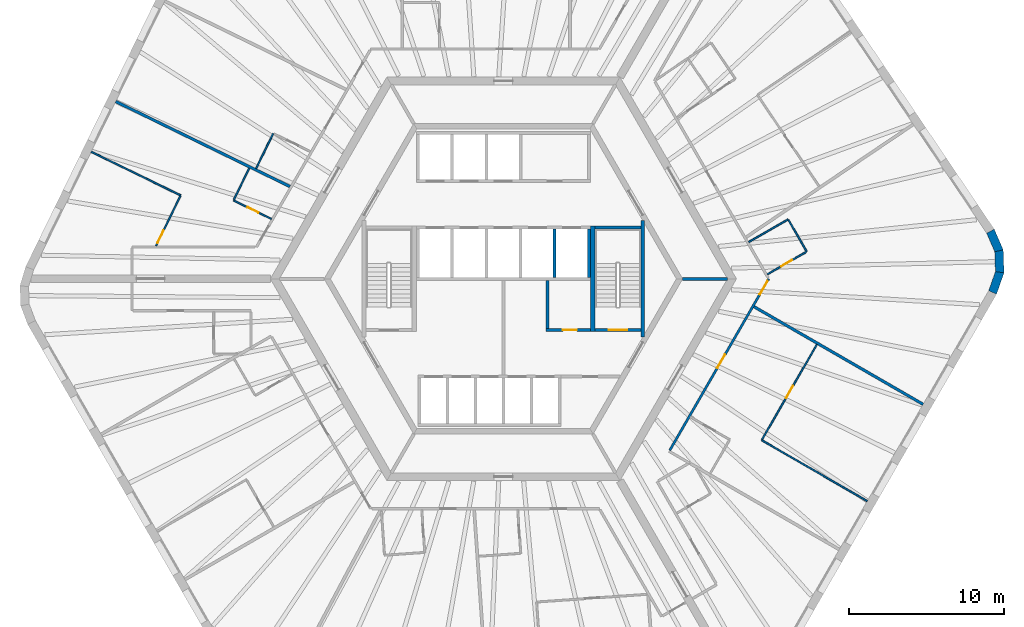
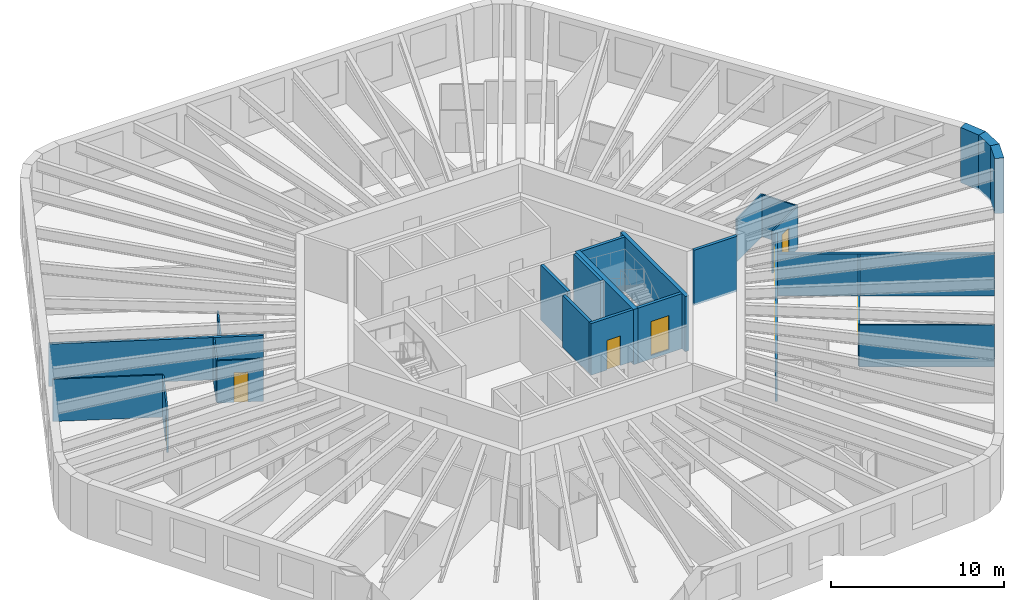
# One storey, part 6 of 10: 25 walls, 8 doors, 8 openings.
"""IFC4 building model written with IfcOpenShell, lengths in metres."""

from ifc_helpers import new_model, si_unit, direction, frame, frame_2d, origin, place, context, subcontext, project, spatial, polyline, rectangle, outline, extrude, material, layer, layer_set, type_object, element, fill, save


model = new_model("IFC4")

# Units and contexts
model_context = context("Model", 3, precision=1e-05, world=origin(), true_north=direction((0.0, 1.0)))
body_context = subcontext(model_context, "Body", "Model", "MODEL_VIEW")
ifc_project = project(units=[si_unit("LENGTHUNIT", "METRE"), si_unit("AREAUNIT", "SQUARE_METRE"), si_unit("VOLUMEUNIT", "CUBIC_METRE"), si_unit("PLANEANGLEUNIT", "RADIAN"), si_unit("MASSUNIT", "GRAM", prefix="KILO")], contexts=[model_context])

# Site, building, storey
site_placement = place(None, origin())
site = spatial("IfcSite", under=ifc_project, at=site_placement, CompositionType="ELEMENT")
building_placement = place(site_placement, origin())
building = spatial("IfcBuilding", under=site, at=building_placement, Name="Tarnside Tower", CompositionType="ELEMENT")
storey_placement = place(building_placement, frame((0.0, 0.0, 180.0)))
storey = spatial("IfcBuildingStorey", under=building, at=storey_placement, Name="L42", CompositionType="ELEMENT", Elevation=180.0)

# Wall
ifc_material_1 = material(Name="Gypsum board partition on steel studs", Category="steel")
ifc_layer_1 = layer(ifc_material_1, 0.10009765625)
ifc_layer_set_1 = layer_set([ifc_layer_1], Name="Bathroom wall 100")
wall_type_1 = type_object("IfcWallType", Name="Bathroom wall 100", PredefinedType="PARTITIONING", material=ifc_layer_set_1)
wall_1_placement = place(storey_placement, frame((-15.927490234375, 7.109619140625, 0.0), z_axis=(0.0, 0.0, 1.0), x_axis=(0.438398718232, 0.898780598284, 0.0)))
element("IfcWall", 1, at=wall_1_placement, inside=storey, type_object=wall_type_1, Name="Bathroom wall 13061", PredefinedType="PARTITIONING", context=body_context, shape_type="SweptSolid", body=[
    extrude(rectangle(XDim=2.510009765625, YDim=0.10009765625, at=frame_2d((1.2548828125, 0.0))), origin(), (0.0, 0.0, 1.0), 2.98779296875),
])

# Wall, opening, door
wall_2_placement = place(storey_placement, frame((-14.947021484375, 3.861083984375, 0.0), z_axis=(0.0, 0.0, 1.0), x_axis=(-0.898811693159, 0.438334963517, 0.0)))
wall_2 = element("IfcWall", 2, at=wall_2_placement, inside=storey, type_object=wall_type_1, Name="Bathroom wall 13066", PredefinedType="PARTITIONING", context=body_context, shape_type="SweptSolid", body=[
    extrude(rectangle(XDim=2.71240234375, YDim=0.10009765625, at=frame_2d((1.356201171875, 0.0))), origin(), (0.0, 0.0, 1.0), 2.98779296875),
])
opening_1_placement = place(wall_2_placement, frame((0.91259765625, 0.0, 0.0)))
opening_1 = element("IfcOpeningElement", 3, at=opening_1_placement, cuts=wall_2, Name="Opening D-B1", PredefinedType="OPENING", context=body_context, shape_type="SweptSolid", body=[
    extrude(rectangle(XDim=0.800048828125, YDim=2.10009765625, at=frame_2d((0.39990234375, 1.050048828125))), frame((0.0, 0.06005859375, 0.0), z_axis=(0.0, -1.0, 0.0), x_axis=(1.0, 0.0, 0.0)), (0.0, 0.0, 1.0), 0.1201171875),
])
ifc_material_2 = material(Name="Timber door leaf", Category="wood")
door_type_1 = type_object("IfcDoorType", Name="Bathroom door 800", OperationType="NOTDEFINED", PredefinedType="DOOR", material=ifc_material_2)
door_1_placement = place(opening_1_placement, origin())
door_1 = element("IfcDoor", 4, at=door_1_placement, inside=storey, type_object=door_type_1, Name="Bathroom door 13010", OperationType="SINGLE_SWING_RIGHT", OverallHeight=2.10009765625, OverallWidth=0.800048828125, PredefinedType="DOOR", context=body_context, shape_type="SweptSolid", body=[
    extrude(rectangle(XDim=0.800048828125, YDim=2.10009765625, at=frame_2d((0.39990234375, 1.050048828125))), frame((0.0, 0.02490234375, 0.0), z_axis=(0.0, -1.0, 0.0), x_axis=(1.0, 0.0, 0.0)), (0.0, 0.0, 1.0), 0.050048828125),
])
fill(opening_1, door_1)

# Walls
wall_3_placement = place(storey_placement, frame((-17.363037109375, 5.094970703125, 0.0), z_axis=(0.0, 0.0, 1.0), x_axis=(0.438334246956, 0.898812042613, 0.0)))
element("IfcWall", 5, at=wall_3_placement, inside=storey, type_object=wall_type_1, Name="Bathroom wall 13067", PredefinedType="PARTITIONING", context=body_context, shape_type="SweptSolid", body=[
    extrude(rectangle(XDim=2.26025390625, YDim=0.10009765625, at=frame_2d((1.130126953125, 0.0))), origin(), (0.0, 0.0, 1.0), 2.98779296875),
])
wall_4_placement = place(storey_placement, frame((15.806640625, 2.3720703125, 0.0), z_axis=(0.0, 0.0, 1.0), x_axis=(0.86601045545, 0.500025890382, 0.0)))
element("IfcWall", 6, at=wall_4_placement, inside=storey, type_object=wall_type_1, Name="Bathroom wall 13103", PredefinedType="PARTITIONING", context=body_context, shape_type="SweptSolid", body=[
    extrude(rectangle(XDim=2.925048828125, YDim=0.10009765625, at=frame_2d((1.46240234375, 0.0))), origin(), (0.0, 0.0, 1.0), 2.98779296875),
])
wall_5_placement = place(storey_placement, frame((18.36474609375, 3.791259765625, 0.0), z_axis=(0.0, 0.0, 1.0), x_axis=(0.500016218704, -0.866016039709, 0.0)))
element("IfcWall", 7, at=wall_5_placement, inside=storey, type_object=wall_type_1, Name="Bathroom wall 13104", PredefinedType="PARTITIONING", context=body_context, shape_type="SweptSolid", body=[
    extrude(rectangle(XDim=2.35009765625, YDim=0.10009765625, at=frame_2d((1.175048828125, 0.0))), origin(), (0.0, 0.0, 1.0), 2.98779296875),
])

# Wall, opening, door
wall_6_placement = place(storey_placement, frame((19.496337890625, 1.731201171875, 0.0), z_axis=(0.0, 0.0, 1.0), x_axis=(-0.866018712932, -0.500011588718, 0.0)))
wall_6 = element("IfcWall", 8, at=wall_6_placement, inside=storey, type_object=wall_type_1, Name="Bathroom wall 13105", PredefinedType="PARTITIONING", context=body_context, shape_type="SweptSolid", body=[
    extrude(rectangle(XDim=2.875, YDim=0.10009765625, at=frame_2d((1.4375, 0.0))), origin(), (0.0, 0.0, 1.0), 2.98779296875),
])
opening_2_placement = place(wall_6_placement, frame((1.050048828125, 0.0, 0.0)))
opening_2 = element("IfcOpeningElement", 9, at=opening_2_placement, cuts=wall_6, Name="Opening D-B1", PredefinedType="OPENING", context=body_context, shape_type="SweptSolid", body=[
    extrude(rectangle(XDim=0.800048828125, YDim=2.10009765625, at=frame_2d((0.39990234375, 1.050048828125))), frame((0.0, 0.06005859375, 0.0), z_axis=(0.0, -1.0, 0.0), x_axis=(1.0, 0.0, 0.0)), (0.0, 0.0, 1.0), 0.1201171875),
])
door_2_placement = place(opening_2_placement, origin())
door_2 = element("IfcDoor", 10, at=door_2_placement, inside=storey, type_object=door_type_1, Name="Bathroom door 13030", OperationType="SINGLE_SWING_LEFT", OverallHeight=2.10009765625, OverallWidth=0.800048828125, PredefinedType="DOOR", context=body_context, shape_type="SweptSolid", body=[
    extrude(rectangle(XDim=0.800048828125, YDim=2.10009765625, at=frame_2d((0.39990234375, 1.050048828125))), frame((0.0, 0.02490234375, 0.0), z_axis=(0.0, -1.0, 0.0), x_axis=(1.0, 0.0, 0.0)), (0.0, 0.0, 1.0), 0.050048828125),
])
fill(opening_2, door_2)

ifc_material_3 = material(Name="Concrete C40/50", Category="concrete")
ifc_layer_2 = layer(ifc_material_3, 0.199951171875)
ifc_layer_set_2 = layer_set([ifc_layer_2], Name="Core room partition 200 C40/50")
wall_type_2 = type_object("IfcWallType", Name="Core room partition 200 C40/50", PredefinedType="PARTITIONING", material=ifc_layer_set_2)
wall_7_placement = place(storey_placement, frame((2.75, -3.300048828125, 0.0), z_axis=(0.0, 0.0, 1.0), x_axis=(1.0, 0.0, 0.0)))
wall_7 = element("IfcWall", 11, at=wall_7_placement, inside=storey, type_object=wall_type_2, Name="L42 core partition R3S1", PredefinedType="PARTITIONING", context=body_context, shape_type="SweptSolid", body=[
    extrude(rectangle(XDim=2.85009765625, YDim=0.199951171875, at=frame_2d((1.425048828125, 0.0))), origin(), (0.0, 0.0, 1.0), 3.64990234375),
])
opening_3_placement = place(wall_7_placement, frame((1.074951171875, 0.0, 0.0)))
opening_3 = element("IfcOpeningElement", 12, at=opening_3_placement, cuts=wall_7, Name="Opening CD-room", PredefinedType="OPENING", context=body_context, shape_type="SweptSolid", body=[
    extrude(rectangle(XDim=0.89990234375, YDim=2.10009765625, at=frame_2d((0.449951171875, 1.050048828125))), frame((0.0, 0.10986328125, 0.0), z_axis=(0.0, -1.0, 0.0), x_axis=(1.0, 0.0, 0.0)), (0.0, 0.0, 1.0), 0.219970703125),
])
ifc_material_4 = material(Name="Steel fire door", Category="steel")
door_type_2 = type_object("IfcDoorType", Name="Room door FD60 900x2100", OperationType="NOTDEFINED", PredefinedType="DOOR", material=ifc_material_4)
door_3_placement = place(opening_3_placement, origin())
door_3 = element("IfcDoor", 13, at=door_3_placement, inside=storey, type_object=door_type_2, Name="L42 core room door SR1", OperationType="SINGLE_SWING_LEFT", OverallHeight=2.10009765625, OverallWidth=0.89990234375, PredefinedType="DOOR", context=body_context, shape_type="SweptSolid", body=[
    extrude(rectangle(XDim=0.89990234375, YDim=2.10009765625, at=frame_2d((0.449951171875, 1.050048828125))), frame((0.0, 0.02490234375, 0.0), z_axis=(0.0, -1.0, 0.0), x_axis=(1.0, 0.0, 0.0)), (0.0, 0.0, 1.0), 0.050048828125),
])
fill(opening_3, door_3)

# Wall
wall_8_placement = place(storey_placement, frame((2.85009765625, -3.199951171875, 0.0), z_axis=(0.0, 0.0, 1.0), x_axis=(0.0, 1.0, 0.0)))
element("IfcWall", 14, at=wall_8_placement, inside=storey, type_object=wall_type_2, Name="L42 core partition R3P1a", PredefinedType="PARTITIONING", context=body_context, shape_type="SweptSolid", body=[
    extrude(rectangle(XDim=3.099853515625, YDim=0.199951171875, at=frame_2d((1.5498046875, 0.0))), origin(), (0.0, 0.0, 1.0), 3.64990234375),
])

# Wall, openings, doors
ifc_layer_3 = layer(ifc_material_1, 0.14990234375)
ifc_layer_set_3 = layer_set([ifc_layer_3], Name="Corridor wall 150 EI 60")
wall_type_3 = type_object("IfcWallType", Name="Corridor wall 150 EI 60", PredefinedType="PARTITIONING", material=ifc_layer_set_3)
wall_9_placement = place(storey_placement, frame((10.713623046875, -11.04345703125, 0.0), z_axis=(0.0, 0.0, 1.0), x_axis=(0.500001980452, 0.866024260367, 0.0)))
wall_9 = element("IfcWall", 15, at=wall_9_placement, inside=storey, type_object=wall_type_3, Name="Corridor wall 13037", PredefinedType="PARTITIONING", context=body_context, shape_type="SweptSolid", body=[
    extrude(rectangle(XDim=12.751953125, YDim=0.14990234375, at=frame_2d((6.3759765625, 0.0))), origin(), (0.0, 0.0, 1.0), 2.98779296875),
])
opening_4_placement = place(wall_9_placement, frame((6.125, 0.0, 0.0)))
opening_4 = element("IfcOpeningElement", 16, at=opening_4_placement, cuts=wall_9, Name="Opening D-E1", PredefinedType="OPENING", context=body_context, shape_type="SweptSolid", body=[
    extrude(rectangle(XDim=1.0, YDim=2.10009765625, at=frame_2d((0.5, 1.050048828125))), frame((0.0, 0.0849609375, 0.0), z_axis=(0.0, -1.0, 0.0), x_axis=(1.0, 0.0, 0.0)), (0.0, 0.0, 1.0), 0.169921875),
])
opening_5_placement = place(wall_9_placement, frame((11.601806640625, 0.0, 0.0)))
opening_5 = element("IfcOpeningElement", 17, at=opening_5_placement, cuts=wall_9, Name="Opening D-E1", PredefinedType="OPENING", context=body_context, shape_type="SweptSolid", body=[
    extrude(rectangle(XDim=1.0, YDim=2.10009765625, at=frame_2d((0.5, 1.050048828125))), frame((0.0, 0.0849609375, 0.0), z_axis=(0.0, -1.0, 0.0), x_axis=(1.0, 0.0, 0.0)), (0.0, 0.0, 1.0), 0.169921875),
])
door_type_3 = type_object("IfcDoorType", Name="Unit entrance door 1000 FD30S", OperationType="NOTDEFINED", PredefinedType="DOOR", material=ifc_material_2)
door_4_placement = place(opening_4_placement, origin())
door_4 = element("IfcDoor", 18, at=door_4_placement, inside=storey, type_object=door_type_3, Name="Unit door 13026", OperationType="SINGLE_SWING_LEFT", OverallHeight=2.10009765625, OverallWidth=1.0, PredefinedType="DOOR", context=body_context, shape_type="SweptSolid", body=[
    extrude(rectangle(XDim=1.0, YDim=2.10009765625, at=frame_2d((0.5, 1.050048828125))), frame((0.0, 0.02490234375, 0.0), z_axis=(0.0, -1.0, 0.0), x_axis=(1.0, 0.0, 0.0)), (0.0, 0.0, 1.0), 0.050048828125),
])
fill(opening_4, door_4)
door_5_placement = place(opening_5_placement, origin())
door_5 = element("IfcDoor", 19, at=door_5_placement, inside=storey, type_object=door_type_3, Name="Unit door 13029", OperationType="SINGLE_SWING_LEFT", OverallHeight=2.10009765625, OverallWidth=1.0, PredefinedType="DOOR", context=body_context, shape_type="SweptSolid", body=[
    extrude(rectangle(XDim=1.0, YDim=2.10009765625, at=frame_2d((0.5, 1.050048828125))), frame((0.0, 0.02490234375, 0.0), z_axis=(0.0, -1.0, 0.0), x_axis=(1.0, 0.0, 0.0)), (0.0, 0.0, 1.0), 0.050048828125),
])
fill(opening_5, door_5)

# Walls
ifc_layer_4 = layer(ifc_material_1, 0.179931640625)
ifc_layer_set_4 = layer_set([ifc_layer_4], Name="Demising wall 180 EI 60")
wall_type_4 = type_object("IfcWallType", Name="Demising wall 180 EI 60", PredefinedType="PARTITIONING", material=ifc_layer_set_4)
wall_10_placement = place(storey_placement, frame((-24.970947265625, 11.420166015625, 0.0), z_axis=(0.0, 0.0, 1.0), x_axis=(0.898796996421, -0.438365098091, 0.0)))
element("IfcWall", 20, at=wall_10_placement, inside=storey, type_object=wall_type_4, Name="Demising wall 13063", PredefinedType="PARTITIONING", context=body_context, shape_type="SweptSolid", body=[
    extrude(rectangle(XDim=12.490966796875, YDim=0.179931640625, at=frame_2d((6.24560546875, 0.0))), origin(), (0.0, 0.0, 1.0), 2.98779296875),
])
wall_11_placement = place(storey_placement, frame((27.03125, -8.080322265625, 0.0), z_axis=(0.0, 0.0, 1.0), x_axis=(-0.86602780907, 0.499995833901, 0.0)))
element("IfcWall", 21, at=wall_11_placement, inside=storey, type_object=wall_type_4, Name="Demising wall 13101", PredefinedType="PARTITIONING", context=body_context, shape_type="SweptSolid", body=[
    extrude(rectangle(XDim=12.57470703125, YDim=0.179931640625, at=frame_2d((6.287353515625, 0.0))), origin(), (0.0, 0.0, 1.0), 2.98779296875),
])
ifc_layer_5 = layer(ifc_material_3, 0.199951171875)
ifc_layer_set_5 = layer_set([ifc_layer_5], Name="Lift shaft wall 200 C40/50")
wall_type_5 = type_object("IfcWallType", Name="Lift shaft wall 200 C40/50", PredefinedType="SHEAR", material=ifc_layer_set_5)
for number, where, z_axis, x_axis, name in (
    (22, (3.300048828125, 0.10009765625, -0.25), (0.0, 0.0, 1.0), (0.0, 1.0, 0.0), "L42 lift shaft partition R25"),
    (23, (5.5, 0.10009765625, -0.25), (0.0, 0.0, 1.0), (0.0, 1.0, 0.0), "L42 lift shaft partition R26"),
):
    element("IfcWall", number, at=place(storey_placement, frame(where, z_axis=z_axis, x_axis=x_axis)), inside=storey, type_object=wall_type_5, Name=name, PredefinedType="SHEAR", context=body_context, shape_type="SweptSolid", body=[
        extrude(rectangle(XDim=3.099853515625, YDim=0.199951171875, at=frame_2d((1.5498046875, 0.0))), origin(), (0.0, 0.0, 1.0), 3.89990234375),
    ])
wall_12_placement = place(storey_placement, frame((11.547119140625, 0.0, -0.14990234375), z_axis=(0.0, 0.0, 1.0), x_axis=(1.0, 0.0, 0.0)))
element("IfcWall", 24, at=wall_12_placement, inside=storey, type_object=wall_type_5, Name="L42 core partition AR0", PredefinedType="SHEAR", context=body_context, shape_type="SweptSolid", body=[
    extrude(rectangle(XDim=2.88671875, YDim=0.199951171875, at=frame_2d((1.443359375, 0.0))), origin(), (0.0, 0.0, 1.0), 3.89990234375),
])
wall_13_placement = place(storey_placement, frame((5.89990234375, 3.300048828125, -0.25), z_axis=(0.0, 0.0, 1.0), x_axis=(1.0, 0.0, 0.0)))
element("IfcWall", 25, at=wall_13_placement, inside=storey, type_object=wall_type_5, Name="L42 stair 1 enclosure cap wall n", PredefinedType="SHEAR", context=body_context, shape_type="SweptSolid", body=[
    extrude(rectangle(XDim=2.9501953125, YDim=0.199951171875, at=frame_2d((1.47509765625, 0.0))), origin(), (0.0, 0.0, 1.0), 3.89990234375),
])

# Wall, opening, door
wall_14_placement = place(storey_placement, frame((5.89990234375, -3.300048828125, -0.25), z_axis=(0.0, 0.0, 1.0), x_axis=(1.0, 0.0, 0.0)))
wall_14 = element("IfcWall", 26, at=wall_14_placement, inside=storey, type_object=wall_type_5, Name="L42 stair 1 enclosure cap wall s", PredefinedType="SHEAR", context=body_context, shape_type="SweptSolid", body=[
    extrude(rectangle(XDim=2.9501953125, YDim=0.199951171875, at=frame_2d((1.47509765625, 0.0))), origin(), (0.0, 0.0, 1.0), 3.89990234375),
])
opening_6_placement = place(wall_14_placement, frame((0.875, 0.0, 0.25)))
opening_6 = element("IfcOpeningElement", 27, at=opening_6_placement, cuts=wall_14, Name="Opening CD-STR", PredefinedType="OPENING", context=body_context, shape_type="SweptSolid", body=[
    extrude(rectangle(XDim=1.199951171875, YDim=2.39990234375, at=frame_2d((0.60009765625, 1.199951171875))), frame((0.0, 0.10986328125, 0.0), z_axis=(0.0, -1.0, 0.0), x_axis=(1.0, 0.0, 0.0)), (0.0, 0.0, 1.0), 0.219970703125),
])
door_type_4 = type_object("IfcDoorType", Name="Stair door FD60S 1200x2400", OperationType="NOTDEFINED", PredefinedType="DOOR", material=ifc_material_4)
door_6_placement = place(opening_6_placement, origin())
door_6 = element("IfcDoor", 28, at=door_6_placement, inside=storey, type_object=door_type_4, Name="L42 stair 1 door", OperationType="SINGLE_SWING_LEFT", OverallHeight=2.39990234375, OverallWidth=1.199951171875, PredefinedType="DOOR", context=body_context, shape_type="SweptSolid", body=[
    extrude(rectangle(XDim=1.199951171875, YDim=2.39990234375, at=frame_2d((0.60009765625, 1.199951171875))), frame((0.0, 0.02490234375, 0.0), z_axis=(0.0, -1.0, 0.0), x_axis=(1.0, 0.0, 0.0)), (0.0, 0.0, 1.0), 0.050048828125),
])
fill(opening_6, door_6)

# Wall
ifc_layer_6 = layer(ifc_material_1, 0.10009765625)
ifc_layer_set_6 = layer_set([ifc_layer_6], Name="Partition 100")
wall_type_6 = type_object("IfcWallType", Name="Partition 100", PredefinedType="PARTITIONING", material=ifc_layer_set_6)
wall_15_placement = place(storey_placement, frame((-26.549072265625, 8.1845703125, 0.0), z_axis=(0.0, 0.0, 1.0), x_axis=(0.898793698528, -0.438371859826, 0.0)))
element("IfcWall", 29, at=wall_15_placement, inside=storey, type_object=wall_type_6, Name="Partition wall 13068", PredefinedType="PARTITIONING", context=body_context, shape_type="SweptSolid", body=[
    extrude(rectangle(XDim=6.410888671875, YDim=0.10009765625, at=frame_2d((3.20556640625, 0.0))), origin(), (0.0, 0.0, 1.0), 2.98779296875),
])

# Wall, opening, door
wall_16_placement = place(storey_placement, frame((-20.80908203125, 5.329345703125, 0.0), z_axis=(0.0, 0.0, 1.0), x_axis=(-0.438399346839, -0.898780291668, 0.0)))
wall_16 = element("IfcWall", 30, at=wall_16_placement, inside=storey, type_object=wall_type_6, Name="Partition wall 13069", PredefinedType="PARTITIONING", context=body_context, shape_type="SweptSolid", body=[
    extrude(rectangle(XDim=3.565185546875, YDim=0.10009765625, at=frame_2d((1.78271484375, 0.0))), origin(), (0.0, 0.0, 1.0), 2.98779296875),
])
opening_7_placement = place(wall_16_placement, frame((2.46533203125, 0.0, 0.0)))
opening_7 = element("IfcOpeningElement", 31, at=opening_7_placement, cuts=wall_16, Name="Opening D-I1", PredefinedType="OPENING", context=body_context, shape_type="SweptSolid", body=[
    extrude(rectangle(XDim=0.89990234375, YDim=2.10009765625, at=frame_2d((0.449951171875, 1.050048828125))), frame((0.0, 0.06005859375, 0.0), z_axis=(0.0, -1.0, 0.0), x_axis=(1.0, 0.0, 0.0)), (0.0, 0.0, 1.0), 0.1201171875),
])
door_type_5 = type_object("IfcDoorType", Name="Internal door 900", OperationType="NOTDEFINED", PredefinedType="DOOR", material=ifc_material_2)
door_7_placement = place(opening_7_placement, origin())
door_7 = element("IfcDoor", 32, at=door_7_placement, inside=storey, type_object=door_type_5, Name="Internal door 13011", OperationType="SINGLE_SWING_LEFT", OverallHeight=2.10009765625, OverallWidth=0.89990234375, PredefinedType="DOOR", context=body_context, shape_type="SweptSolid", body=[
    extrude(rectangle(XDim=0.89990234375, YDim=2.10009765625, at=frame_2d((0.449951171875, 1.050048828125))), frame((0.0, 0.02490234375, 0.0), z_axis=(0.0, -1.0, 0.0), x_axis=(1.0, 0.0, 0.0)), (0.0, 0.0, 1.0), 0.050048828125),
])
fill(opening_7, door_7)

# Wall
wall_17_placement = place(storey_placement, frame((23.431396484375, -14.315673828125, 0.0), z_axis=(0.0, 0.0, 1.0), x_axis=(-0.86602399778, 0.500002435262, 0.0)))
element("IfcWall", 33, at=wall_17_placement, inside=storey, type_object=wall_type_6, Name="Partition wall 13099", PredefinedType="PARTITIONING", context=body_context, shape_type="SweptSolid", body=[
    extrude(rectangle(XDim=7.85009765625, YDim=0.10009765625, at=frame_2d((3.925048828125, 0.0))), origin(), (0.0, 0.0, 1.0), 2.98779296875),
])

# Wall, opening, door
wall_18_placement = place(storey_placement, frame((16.657958984375, -10.347412109375, 0.0), z_axis=(0.0, 0.0, 1.0), x_axis=(0.500010820671, 0.866019156377, 0.0)))
wall_18 = element("IfcWall", 34, at=wall_18_placement, inside=storey, type_object=wall_type_6, Name="Partition wall 13100", PredefinedType="PARTITIONING", context=body_context, shape_type="SweptSolid", body=[
    extrude(rectangle(XDim=7.059814453125, YDim=0.10009765625, at=frame_2d((3.52978515625, 0.0))), origin(), (0.0, 0.0, 1.0), 2.98779296875),
])
opening_8_placement = place(wall_18_placement, frame((3.10009765625, 0.0, 0.0)))
opening_8 = element("IfcOpeningElement", 35, at=opening_8_placement, cuts=wall_18, Name="Opening D-I1", PredefinedType="OPENING", context=body_context, shape_type="SweptSolid", body=[
    extrude(rectangle(XDim=0.89990234375, YDim=2.10009765625, at=frame_2d((0.449951171875, 1.050048828125))), frame((0.0, 0.06005859375, 0.0), z_axis=(0.0, -1.0, 0.0), x_axis=(1.0, 0.0, 0.0)), (0.0, 0.0, 1.0), 0.1201171875),
])
door_8_placement = place(opening_8_placement, origin())
door_8 = element("IfcDoor", 36, at=door_8_placement, inside=storey, type_object=door_type_5, Name="Internal door 13028", OperationType="SINGLE_SWING_RIGHT", OverallHeight=2.10009765625, OverallWidth=0.89990234375, PredefinedType="DOOR", context=body_context, shape_type="SweptSolid", body=[
    extrude(rectangle(XDim=0.89990234375, YDim=2.10009765625, at=frame_2d((0.449951171875, 1.050048828125))), frame((0.0, 0.02490234375, 0.0), z_axis=(0.0, -1.0, 0.0), x_axis=(1.0, 0.0, 0.0)), (0.0, 0.0, 1.0), 0.050048828125),
])
fill(opening_8, door_8)

# Walls
ifc_layer_7 = layer(ifc_material_3, 0.25)
ifc_layer_set_7 = layer_set([ifc_layer_7], Name="Stair enclosure wall 250 C40/50")
wall_type_7 = type_object("IfcWallType", Name="Stair enclosure wall 250 C40/50", PredefinedType="SHEAR", material=ifc_layer_set_7)
wall_19_placement = place(storey_placement, frame((8.97509765625, -3.7548828125, -0.25), z_axis=(0.0, 0.0, 1.0), x_axis=(0.0, 1.0, 0.0)))
element("IfcWall", 37, at=wall_19_placement, inside=storey, type_object=wall_type_7, Name="L42 stair 1 enclosure wall outer", PredefinedType="SHEAR", context=body_context, shape_type="SweptSolid", body=[
    extrude(rectangle(XDim=7.509765625, YDim=0.25, at=frame_2d((3.7548828125, 0.0))), origin(), (0.0, 0.0, 1.0), 3.89990234375),
])
ifc_layer_8 = layer(ifc_material_3, 0.300048828125)
ifc_layer_set_8 = layer_set([ifc_layer_8], Name="Stair enclosure wall 300 C40/50")
wall_type_8 = type_object("IfcWallType", Name="Stair enclosure wall 300 C40/50", PredefinedType="SHEAR", material=ifc_layer_set_8)
wall_20_placement = place(storey_placement, frame((5.75, -3.39990234375, -0.25), z_axis=(0.0, 0.0, 1.0), x_axis=(0.0, 1.0, 0.0)))
element("IfcWall", 38, at=wall_20_placement, inside=storey, type_object=wall_type_8, Name="L42 stair 1 enclosure wall inner", PredefinedType="SHEAR", context=body_context, shape_type="SweptSolid", body=[
    extrude(rectangle(XDim=6.7998046875, YDim=0.300048828125, at=frame_2d((3.39990234375, 0.0))), origin(), (0.0, 0.0, 1.0), 3.89990234375),
])
ifc_material_5 = material(Name="Facing brick", Category="masonry")
ifc_layer_9 = layer(ifc_material_5, 0.10205078125)
ifc_material_6 = material(Name="Concrete C60/75 precast", Category="concrete")
ifc_layer_10 = layer(ifc_material_6, 0.347900390625)
ifc_material_7 = material(Name="Mineral wool insulation")
ifc_layer_11 = layer(ifc_material_7, 0.10009765625)
ifc_layer_set_9 = layer_set([ifc_layer_9, ifc_layer_10, ifc_layer_11], Name="Tube wall 550 brick faced")
wall_type_9 = type_object("IfcWallType", Name="Tube wall 550 brick faced", PredefinedType="SOLIDWALL", material=ifc_layer_set_9)
wall_21_placement = place(storey_placement, frame((31.509033203125, -0.874755859375, -0.14990234375), z_axis=(0.0, 0.0, 1.0), x_axis=(0.33111537203, 0.943590276765, 0.0)))
element("IfcWall", 39, at=wall_21_placement, inside=storey, type_object=wall_type_9, Name="Tube wall L42 F5 chord 17", PredefinedType="SOLIDWALL", context=body_context, shape_type="SweptSolid", body=[
    extrude(outline(polyline([(-0.025634765625, -0.27490234375), (1.4306640625, -0.27490234375), (1.3271484375, 0.27490234375), (0.025634765625, 0.27490234375), (-0.025634765625, -0.27490234375)])), origin(), (0.0, 0.0, 1.0), 3.89990234375),
])
wall_22_placement = place(storey_placement, frame((31.965576171875, 0.42626953125, -0.14990234375), z_axis=(0.0, 0.0, 1.0), x_axis=(-0.034876908462, 0.999391615562, 0.0)))
element("IfcWall", 40, at=wall_22_placement, inside=storey, type_object=wall_type_9, Name="Tube wall L42 F5 chord 18", PredefinedType="SOLIDWALL", context=body_context, shape_type="SweptSolid", body=[
    extrude(outline(polyline([(-0.0517578125, -0.27490234375), (1.4306640625, -0.27490234375), (1.3271484375, 0.27490234375), (0.0517578125, 0.27490234375), (-0.0517578125, -0.27490234375)])), origin(), (0.0, 0.0, 1.0), 3.89990234375),
])
wall_23_placement = place(storey_placement, frame((31.91748046875, 1.804443359375, -0.14990234375), z_axis=(0.0, 0.0, 1.0), x_axis=(-0.396225741392, 0.918153125496, 0.0)))
element("IfcWall", 41, at=wall_23_placement, inside=storey, type_object=wall_type_9, Name="Tube wall L42 F5 chord 19", PredefinedType="SOLIDWALL", context=body_context, shape_type="SweptSolid", body=[
    extrude(outline(polyline([(-0.0517578125, -0.27490234375), (1.404541015625, -0.27490234375), (1.353271484375, 0.27490234375), (0.0517578125, 0.27490234375), (-0.0517578125, -0.27490234375)])), origin(), (0.0, 0.0, 1.0), 3.89990234375),
])

save(model, "model.ifc")
